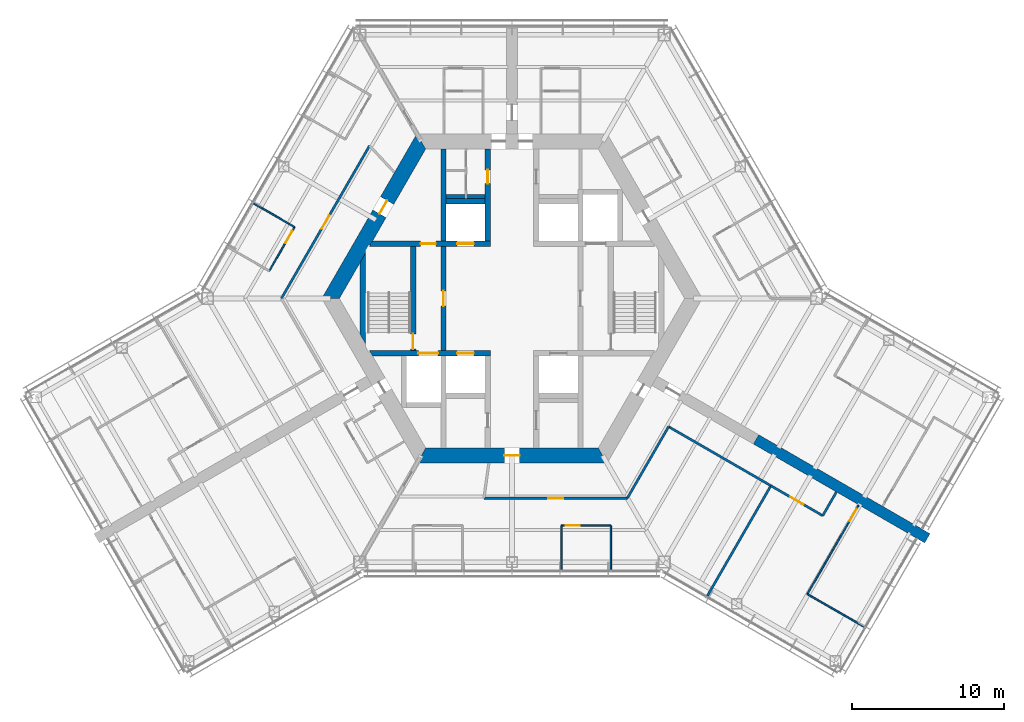
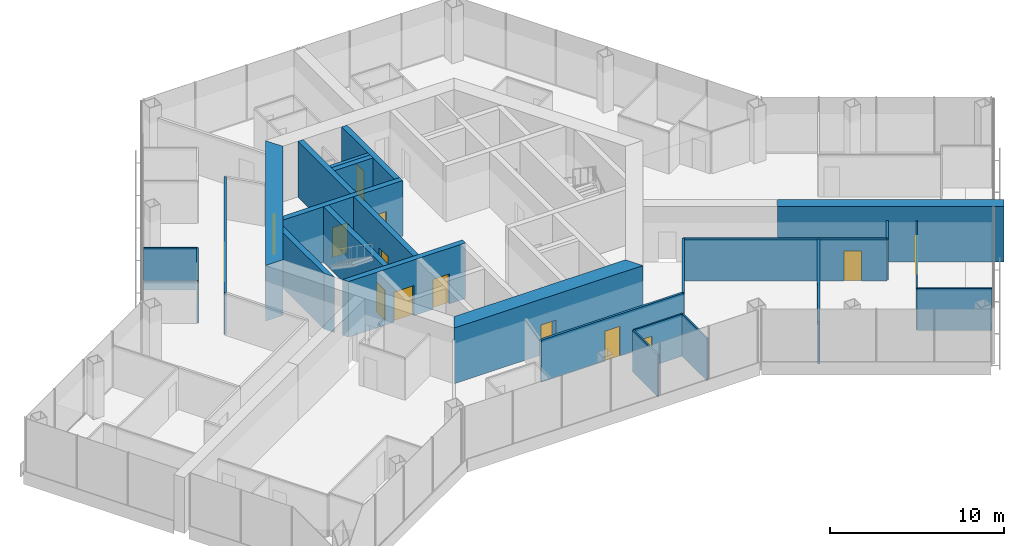
# One storey, part 13 of 18: 26 walls, 15 doors, 15 openings.
"""IFC4 building model written with IfcOpenShell, lengths in metres."""

from ifc_helpers import new_model, si_unit, direction, frame, frame_2d, origin, place, context, subcontext, project, spatial, polyline, rectangle, outline, extrude, material, layer, layer_set, type_object, element, fill, save


model = new_model("IFC4")

# Units and contexts
model_context = context("Model", 3, precision=1e-05, world=origin(), true_north=direction((0.0, 1.0)))
body_context = subcontext(model_context, "Body", "Model", "MODEL_VIEW")
ifc_project = project(units=[si_unit("LENGTHUNIT", "METRE"), si_unit("AREAUNIT", "SQUARE_METRE"), si_unit("VOLUMEUNIT", "CUBIC_METRE"), si_unit("PLANEANGLEUNIT", "RADIAN"), si_unit("MASSUNIT", "GRAM", prefix="KILO")], contexts=[model_context])

# Site, building, storey
site_placement = place(None, origin())
site = spatial("IfcSite", under=ifc_project, at=site_placement, CompositionType="ELEMENT")
building_placement = place(site_placement, origin())
building = spatial("IfcBuilding", under=site, at=building_placement, Name="Kasaneha Research Tower", CompositionType="ELEMENT")
storey_placement = place(building_placement, frame((0.0, 0.0, 179.89990234375)))
storey = spatial("IfcBuildingStorey", under=building, at=storey_placement, Name="L45", CompositionType="ELEMENT", Elevation=179.89990234375)

# Wall, openings, doors
ifc_material_1 = material(Name="Concrete Fc70", Category="concrete")
ifc_layer_1 = layer(ifc_material_1, 0.35009765625)
ifc_layer_set_1 = layer_set([ifc_layer_1], Name="Core internal wall 350 Fc70")
wall_type_1 = type_object("IfcWallType", Name="Core internal wall 350 Fc70", PredefinedType="SHEAR", material=ifc_layer_set_1)
wall_1_placement = place(storey_placement, frame((-9.266357421875, 3.60009765625, 0.0), z_axis=(0.0, 0.0, 1.0), x_axis=(1.0, 0.0, 0.0)))
wall_1 = element("IfcWall", 1, at=wall_1_placement, inside=storey, type_object=wall_type_1, Name="Core wall W1W L45", PredefinedType="SHEAR", context=body_context, shape_type="SweptSolid", body=[
    extrude(outline(polyline([(-0.10107421875, -0.175048828125), (3.266357421875, -0.175048828125), (4.266357421875, -0.175048828125), (5.66650390625, -0.175048828125), (6.7666015625, -0.175048828125), (7.84130859375, -0.175048828125), (7.84130859375, 0.175048828125), (6.7666015625, 0.175048828125), (5.66650390625, 0.175048828125), (4.266357421875, 0.175048828125), (3.266357421875, 0.175048828125), (0.10107421875, 0.175048828125), (-0.10107421875, -0.175048828125)])), origin(), (0.0, 0.0, 1.0), 3.900146484375),
])
opening_1_placement = place(wall_1_placement, frame((3.266357421875, 0.0, 0.0)))
opening_1 = element("IfcOpeningElement", 2, at=opening_1_placement, cuts=wall_1, Name="Opening L45-D12", PredefinedType="OPENING", context=body_context, shape_type="SweptSolid", body=[
    extrude(rectangle(XDim=1.0, YDim=2.10009765625, at=frame_2d((0.5, 1.050048828125))), frame((0.0, 0.18505859375, 0.0), z_axis=(0.0, -1.0, 0.0), x_axis=(1.0, 0.0, 0.0)), (0.0, 0.0, 1.0), 0.3701171875),
])
opening_2_placement = place(wall_1_placement, frame((5.66650390625, 0.0, 0.0)))
opening_2 = element("IfcOpeningElement", 3, at=opening_2_placement, cuts=wall_1, Name="Opening LD-LM1-L45", PredefinedType="OPENING", context=body_context, shape_type="SweptSolid", body=[
    extrude(rectangle(XDim=1.10009765625, YDim=2.10009765625, at=frame_2d((0.550048828125, 1.050048828125))), frame((0.0, 0.18505859375, 0.0), z_axis=(0.0, -1.0, 0.0), x_axis=(1.0, 0.0, 0.0)), (0.0, 0.0, 1.0), 0.3701171875),
])
ifc_material_2 = material(Name="Steel", Category="steel")
door_type_1 = type_object("IfcDoorType", Name="Lift landing door 1100x2100", OperationType="DOUBLE_DOOR_SLIDING", PredefinedType="DOOR", material=ifc_material_2)
door_1_placement = place(opening_2_placement, origin())
door_1 = element("IfcDoor", 4, at=door_1_placement, inside=storey, type_object=door_type_1, Name="Landing door LM1 LD-LM1-L45", OperationType="DOUBLE_DOOR_SLIDING", OverallHeight=2.10009765625, OverallWidth=1.10009765625, PredefinedType="DOOR", context=body_context, shape_type="SweptSolid", body=[
    extrude(rectangle(XDim=1.10009765625, YDim=2.10009765625, at=frame_2d((0.550048828125, 1.050048828125))), frame((0.0, 0.02490234375, 0.0), z_axis=(0.0, -1.0, 0.0), x_axis=(1.0, 0.0, 0.0)), (0.0, 0.0, 1.0), 0.050048828125),
])
fill(opening_2, door_1)
ifc_material_3 = material(Name="Steel", Category="steel")
door_type_2 = type_object("IfcDoorType", Name="Specified fire door FD60 1000x2100", OperationType="NOTDEFINED", PredefinedType="DOOR", material=ifc_material_3)
door_2_placement = place(opening_1_placement, origin())
door_2 = element("IfcDoor", 5, at=door_2_placement, inside=storey, type_object=door_type_2, Name="Vestibule to lobby door L45-D12", OperationType="SINGLE_SWING_LEFT", OverallHeight=2.10009765625, OverallWidth=1.0, PredefinedType="DOOR", context=body_context, shape_type="SweptSolid", body=[
    extrude(rectangle(XDim=1.0, YDim=2.10009765625, at=frame_2d((0.5, 1.050048828125))), frame((0.0, 0.02490234375, 0.0), z_axis=(0.0, -1.0, 0.0), x_axis=(1.0, 0.0, 0.0)), (0.0, 0.0, 1.0), 0.050048828125),
])
fill(opening_1, door_2)

wall_2_placement = place(storey_placement, frame((-9.266357421875, -3.60009765625, 0.0), z_axis=(0.0, 0.0, 1.0), x_axis=(1.0, 0.0, 0.0)))
wall_2 = element("IfcWall", 6, at=wall_2_placement, inside=storey, type_object=wall_type_1, Name="Core wall W2W L45", PredefinedType="SHEAR", context=body_context, shape_type="SweptSolid", body=[
    extrude(outline(polyline([(0.10107421875, -0.175048828125), (3.116455078125, -0.175048828125), (4.41650390625, -0.175048828125), (5.66650390625, -0.175048828125), (6.7666015625, -0.175048828125), (7.84130859375, -0.175048828125), (7.84130859375, 0.175048828125), (6.7666015625, 0.175048828125), (5.66650390625, 0.175048828125), (4.41650390625, 0.175048828125), (3.116455078125, 0.175048828125), (-0.10107421875, 0.175048828125), (0.10107421875, -0.175048828125)])), origin(), (0.0, 0.0, 1.0), 3.900146484375),
])
opening_3_placement = place(wall_2_placement, frame((5.66650390625, 0.0, 0.0)))
opening_3 = element("IfcOpeningElement", 7, at=opening_3_placement, cuts=wall_2, Name="Opening LD-LM3-L45", PredefinedType="OPENING", context=body_context, shape_type="SweptSolid", body=[
    extrude(rectangle(XDim=1.10009765625, YDim=2.10009765625, at=frame_2d((0.550048828125, 1.050048828125))), frame((0.0, 0.18505859375, 0.0), z_axis=(0.0, -1.0, 0.0), x_axis=(1.0, 0.0, 0.0)), (0.0, 0.0, 1.0), 0.3701171875),
])
opening_4_placement = place(wall_2_placement, frame((3.116455078125, 0.0, 0.0)))
opening_4 = element("IfcOpeningElement", 8, at=opening_4_placement, cuts=wall_2, Name="Opening LD-FL2-L45", PredefinedType="OPENING", context=body_context, shape_type="SweptSolid", body=[
    extrude(rectangle(XDim=1.300048828125, YDim=2.10009765625, at=frame_2d((0.64990234375, 1.050048828125))), frame((0.0, 0.18505859375, 0.0), z_axis=(0.0, -1.0, 0.0), x_axis=(1.0, 0.0, 0.0)), (0.0, 0.0, 1.0), 0.3701171875),
])
door_3_placement = place(opening_3_placement, origin())
door_3 = element("IfcDoor", 9, at=door_3_placement, inside=storey, type_object=door_type_1, Name="Landing door LM3 LD-LM3-L45", OperationType="DOUBLE_DOOR_SLIDING", OverallHeight=2.10009765625, OverallWidth=1.10009765625, PredefinedType="DOOR", context=body_context, shape_type="SweptSolid", body=[
    extrude(rectangle(XDim=1.10009765625, YDim=2.10009765625, at=frame_2d((0.550048828125, 1.050048828125))), frame((0.0, 0.02490234375, 0.0), z_axis=(0.0, -1.0, 0.0), x_axis=(1.0, 0.0, 0.0)), (0.0, 0.0, 1.0), 0.050048828125),
])
fill(opening_3, door_3)
ifc_material_4 = material(Name="Steel", Category="steel")
door_type_3 = type_object("IfcDoorType", Name="Lift landing door 1300x2100", OperationType="DOUBLE_DOOR_SLIDING", PredefinedType="DOOR", material=ifc_material_4)
door_4_placement = place(opening_4_placement, origin())
door_4 = element("IfcDoor", 10, at=door_4_placement, inside=storey, type_object=door_type_3, Name="Landing door FL2 LD-FL2-L45", OperationType="DOUBLE_DOOR_SLIDING", OverallHeight=2.10009765625, OverallWidth=1.300048828125, PredefinedType="DOOR", context=body_context, shape_type="SweptSolid", body=[
    extrude(rectangle(XDim=1.300048828125, YDim=2.10009765625, at=frame_2d((0.64990234375, 1.050048828125))), frame((0.0, 0.02490234375, 0.0), z_axis=(0.0, -1.0, 0.0), x_axis=(1.0, 0.0, 0.0)), (0.0, 0.0, 1.0), 0.050048828125),
])
fill(opening_4, door_4)

# Wall, opening, door
wall_3_placement = place(storey_placement, frame((-1.60009765625, 3.77490234375, 0.0), z_axis=(0.0, 0.0, 1.0), x_axis=(0.0, 1.0, 0.0)))
wall_3 = element("IfcWall", 11, at=wall_3_placement, inside=storey, type_object=wall_type_1, Name="Core wall CNW L45", PredefinedType="SHEAR", context=body_context, shape_type="SweptSolid", body=[
    extrude(rectangle(XDim=6.050048828125, YDim=0.35009765625, at=frame_2d((3.02490234375, 0.0))), origin(), (0.0, 0.0, 1.0), 3.900146484375),
])
opening_5_placement = place(wall_3_placement, frame((3.77490234375, 0.0, 0.0)))
opening_5 = element("IfcOpeningElement", 12, at=opening_5_placement, cuts=wall_3, Name="Opening L45-D13", PredefinedType="OPENING", context=body_context, shape_type="SweptSolid", body=[
    extrude(rectangle(XDim=0.89990234375, YDim=2.10009765625, at=frame_2d((0.449951171875, 1.050048828125))), frame((0.0, 0.18505859375, 0.0), z_axis=(0.0, -1.0, 0.0), x_axis=(1.0, 0.0, 0.0)), (0.0, 0.0, 1.0), 0.3701171875),
])
ifc_material_5 = material(Name="Steel", Category="steel")
door_type_4 = type_object("IfcDoorType", Name="Toilet door FD20 900x2100", OperationType="NOTDEFINED", PredefinedType="DOOR", material=ifc_material_5)
door_5_placement = place(opening_5_placement, origin())
door_5 = element("IfcDoor", 13, at=door_5_placement, inside=storey, type_object=door_type_4, Name="Men's WC door L45-D13", OperationType="SINGLE_SWING_LEFT", OverallHeight=2.10009765625, OverallWidth=0.89990234375, PredefinedType="DOOR", context=body_context, shape_type="SweptSolid", body=[
    extrude(rectangle(XDim=0.89990234375, YDim=2.10009765625, at=frame_2d((0.449951171875, 1.050048828125))), frame((0.0, 0.02490234375, 0.0), z_axis=(0.0, -1.0, 0.0), x_axis=(1.0, 0.0, 0.0)), (0.0, 0.0, 1.0), 0.050048828125),
])
fill(opening_5, door_5)

wall_4_placement = place(storey_placement, frame((-4.5, -3.425048828125, 0.0), z_axis=(0.0, 0.0, 1.0), x_axis=(0.0, 1.0, 0.0)))
wall_4 = element("IfcWall", 14, at=wall_4_placement, inside=storey, type_object=wall_type_1, Name="Core wall LBW L45", PredefinedType="SHEAR", context=body_context, shape_type="SweptSolid", body=[
    extrude(rectangle(XDim=6.85009765625, YDim=0.35009765625, at=frame_2d((3.425048828125, 0.0))), origin(), (0.0, 0.0, 1.0), 3.900146484375),
])
opening_6_placement = place(wall_4_placement, frame((2.925048828125, 0.0, 0.0)))
opening_6 = element("IfcOpeningElement", 15, at=opening_6_placement, cuts=wall_4, Name="Opening L45-D09", PredefinedType="OPENING", context=body_context, shape_type="SweptSolid", body=[
    extrude(rectangle(XDim=1.0, YDim=2.10009765625, at=frame_2d((0.5, 1.050048828125))), frame((0.0, 0.18505859375, 0.0), z_axis=(0.0, -1.0, 0.0), x_axis=(1.0, 0.0, 0.0)), (0.0, 0.0, 1.0), 0.3701171875),
])
door_6_placement = place(opening_6_placement, origin())
door_6 = element("IfcDoor", 16, at=door_6_placement, inside=storey, type_object=door_type_2, Name="Lift lobby door west L45-D09", OperationType="SINGLE_SWING_LEFT", OverallHeight=2.10009765625, OverallWidth=1.0, PredefinedType="DOOR", context=body_context, shape_type="SweptSolid", body=[
    extrude(rectangle(XDim=1.0, YDim=2.10009765625, at=frame_2d((0.5, 1.050048828125))), frame((0.0, 0.02490234375, 0.0), z_axis=(0.0, -1.0, 0.0), x_axis=(1.0, 0.0, 0.0)), (0.0, 0.0, 1.0), 0.050048828125),
])
fill(opening_6, door_6)

wall_5_placement = place(storey_placement, frame((-6.5, -3.425048828125, 0.0), z_axis=(0.0, 0.0, 1.0), x_axis=(0.0, 1.0, 0.0)))
wall_5 = element("IfcWall", 17, at=wall_5_placement, inside=storey, type_object=wall_type_1, Name="Core wall ANW L45", PredefinedType="SHEAR", context=body_context, shape_type="SweptSolid", body=[
    extrude(rectangle(XDim=6.85009765625, YDim=0.35009765625, at=frame_2d((3.425048828125, 0.0))), origin(), (0.0, 0.0, 1.0), 3.900146484375),
])
opening_7_placement = place(wall_5_placement, frame((0.10009765625, 0.0, 0.0)))
opening_7 = element("IfcOpeningElement", 18, at=opening_7_placement, cuts=wall_5, Name="Opening L45-D11", PredefinedType="OPENING", context=body_context, shape_type="SweptSolid", body=[
    extrude(rectangle(XDim=1.0, YDim=2.10009765625, at=frame_2d((0.5, 1.050048828125))), frame((0.0, 0.18505859375, 0.0), z_axis=(0.0, -1.0, 0.0), x_axis=(1.0, 0.0, 0.0)), (0.0, 0.0, 1.0), 0.3701171875),
])
door_7_placement = place(opening_7_placement, origin())
door_7 = element("IfcDoor", 19, at=door_7_placement, inside=storey, type_object=door_type_2, Name="Stair 2 door L45-D11", OperationType="SINGLE_SWING_LEFT", OverallHeight=2.10009765625, OverallWidth=1.0, PredefinedType="DOOR", context=body_context, shape_type="SweptSolid", body=[
    extrude(rectangle(XDim=1.0, YDim=2.10009765625, at=frame_2d((0.5, 1.050048828125))), frame((0.0, 0.02490234375, 0.0), z_axis=(0.0, -1.0, 0.0), x_axis=(1.0, 0.0, 0.0)), (0.0, 0.0, 1.0), 0.050048828125),
])
fill(opening_7, door_7)

# Walls
wall_6_placement = place(storey_placement, frame((-4.5, 3.77490234375, 0.0), z_axis=(0.0, 0.0, 1.0), x_axis=(0.0, 1.0, 0.0)))
element("IfcWall", 20, at=wall_6_placement, inside=storey, type_object=wall_type_1, Name="Core wall VNW L45", PredefinedType="SHEAR", context=body_context, shape_type="SweptSolid", body=[
    extrude(rectangle(XDim=6.050048828125, YDim=0.35009765625, at=frame_2d((3.02490234375, 0.0))), origin(), (0.0, 0.0, 1.0), 3.900146484375),
])
wall_7_placement = place(storey_placement, frame((-4.324951171875, 6.39990234375, 0.0), z_axis=(0.0, 0.0, 1.0), x_axis=(1.0, 0.0, 0.0)))
element("IfcWall", 21, at=wall_7_placement, inside=storey, type_object=wall_type_1, Name="Core wall N1N L45", PredefinedType="SHEAR", context=body_context, shape_type="SweptSolid", body=[
    extrude(rectangle(XDim=2.550048828125, YDim=0.35009765625, at=frame_2d((1.27490234375, 0.0))), origin(), (0.0, 0.0, 1.0), 3.900146484375),
])
wall_8_placement = place(storey_placement, frame((-9.807861328125, -2.662353515625, 0.0), z_axis=(0.0, 0.0, 1.0), x_axis=(0.0, 1.0, 0.0)))
element("IfcWall", 22, at=wall_8_placement, inside=storey, type_object=wall_type_1, Name="Core wall STW L45", PredefinedType="SHEAR", context=body_context, shape_type="SweptSolid", body=[
    extrude(outline(polyline([(-0.30322265625, -0.175048828125), (5.6279296875, -0.175048828125), (5.021484375, 0.175048828125), (0.30322265625, 0.175048828125), (-0.30322265625, -0.175048828125)])), origin(), (0.0, 0.0, 1.0), 3.900146484375),
])

# Wall, opening, door
ifc_material_6 = material(Name="Concrete Fc70", Category="concrete")
ifc_layer_2 = layer(ifc_material_6, 1.0)
ifc_layer_set_2 = layer_set([ifc_layer_2], Name="Core wall 1000 Fc70")
wall_type_2 = type_object("IfcWallType", Name="Core wall 1000 Fc70", PredefinedType="SHEAR", material=ifc_layer_set_2)
wall_9_placement = place(storey_placement, frame((-5.961181640625, 10.324951171875, 0.0), z_axis=(0.0, 0.0, 1.0), x_axis=(-0.500004296715, -0.866022923061, 0.0)))
wall_9 = element("IfcWall", 23, at=wall_9_placement, inside=storey, type_object=wall_type_2, Name="Core wall 150 L45", PredefinedType="SHEAR", context=body_context, shape_type="SweptSolid", body=[
    extrude(outline(polyline([(-0.28857421875, -0.5), (4.494140625, -0.5), (5.494140625, -0.5), (12.2109375, -0.5), (11.6337890625, 0.5), (5.494140625, 0.5), (4.494140625, 0.5), (0.28857421875, 0.5), (-0.28857421875, -0.5)])), origin(), (0.0, 0.0, 1.0), 3.900146484375),
])
opening_8_placement = place(wall_9_placement, frame((4.494140625, 0.0, 0.0)))
opening_8 = element("IfcOpeningElement", 24, at=opening_8_placement, cuts=wall_9, Name="Opening L45-D07", PredefinedType="OPENING", context=body_context, shape_type="SweptSolid", body=[
    extrude(rectangle(XDim=1.0, YDim=2.10009765625, at=frame_2d((0.5, 1.050048828125))), frame((0.0, 0.510009765625, 0.0), z_axis=(0.0, -1.0, 0.0), x_axis=(1.0, 0.0, 0.0)), (0.0, 0.0, 1.0), 1.02001953125),
])
ifc_material_7 = material(Name="Steel", Category="steel")
door_type_5 = type_object("IfcDoorType", Name="Fire door FD20 1000x2100", OperationType="NOTDEFINED", PredefinedType="DOOR", material=ifc_material_7)
door_8_placement = place(opening_8_placement, origin())
door_8 = element("IfcDoor", 25, at=door_8_placement, inside=storey, type_object=door_type_5, Name="Vestibule door L45-D07", OperationType="SINGLE_SWING_LEFT", OverallHeight=2.10009765625, OverallWidth=1.0, PredefinedType="DOOR", context=body_context, shape_type="SweptSolid", body=[
    extrude(rectangle(XDim=1.0, YDim=2.10009765625, at=frame_2d((0.5, 1.050048828125))), frame((0.0, 0.02490234375, 0.0), z_axis=(0.0, -1.0, 0.0), x_axis=(1.0, 0.0, 0.0)), (0.0, 0.0, 1.0), 0.050048828125),
])
fill(opening_8, door_8)

wall_10_placement = place(storey_placement, frame((-5.961181640625, -10.324951171875, 0.0), z_axis=(0.0, 0.0, 1.0), x_axis=(1.0, 0.0, 0.0)))
wall_10 = element("IfcWall", 26, at=wall_10_placement, inside=storey, type_object=wall_type_2, Name="Core wall 270 L45", PredefinedType="SHEAR", context=body_context, shape_type="SweptSolid", body=[
    extrude(outline(polyline([(-0.28857421875, -0.5), (5.461181640625, -0.5), (6.461181640625, -0.5), (12.2109375, -0.5), (11.6337890625, 0.5), (6.461181640625, 0.5), (5.461181640625, 0.5), (0.28857421875, 0.5), (-0.28857421875, -0.5)])), origin(), (0.0, 0.0, 1.0), 3.900146484375),
])
opening_9_placement = place(wall_10_placement, frame((5.461181640625, 0.0, 0.0)))
opening_9 = element("IfcOpeningElement", 27, at=opening_9_placement, cuts=wall_10, Name="Opening L45-D03", PredefinedType="OPENING", context=body_context, shape_type="SweptSolid", body=[
    extrude(rectangle(XDim=1.0, YDim=2.10009765625, at=frame_2d((0.5, 1.050048828125))), frame((0.0, 0.510009765625, 0.0), z_axis=(0.0, -1.0, 0.0), x_axis=(1.0, 0.0, 0.0)), (0.0, 0.0, 1.0), 1.02001953125),
])
door_9_placement = place(opening_9_placement, origin())
door_9 = element("IfcDoor", 28, at=door_9_placement, inside=storey, type_object=door_type_5, Name="Core door south L45-D03", OperationType="SINGLE_SWING_LEFT", OverallHeight=2.10009765625, OverallWidth=1.0, PredefinedType="DOOR", context=body_context, shape_type="SweptSolid", body=[
    extrude(rectangle(XDim=1.0, YDim=2.10009765625, at=frame_2d((0.5, 1.050048828125))), frame((0.0, 0.02490234375, 0.0), z_axis=(0.0, -1.0, 0.0), x_axis=(1.0, 0.0, 0.0)), (0.0, 0.0, 1.0), 0.050048828125),
])
fill(opening_9, door_9)

# Wall
ifc_material_8 = material(Name="Gypsum board on steel studs, one layer each side", Category="steel")
ifc_layer_3 = layer(ifc_material_8, 0.10009765625)
ifc_layer_set_3 = layer_set([ifc_layer_3], Name="Office partition 100")
wall_type_3 = type_object("IfcWallType", Name="Office partition 100", PredefinedType="PARTITIONING", material=ifc_layer_set_3)
wall_11_placement = place(storey_placement, frame((-16.97607421875, 6.247802734375, 0.0), z_axis=(0.0, 0.0, 1.0), x_axis=(0.866023220135, -0.500003782172, 0.0)))
element("IfcWall", 29, at=wall_11_placement, inside=storey, type_object=wall_type_3, Name="Office partition FBN15 L45", PredefinedType="PARTITIONING", context=body_context, shape_type="SweptSolid", body=[
    extrude(rectangle(XDim=3.10498046875, YDim=0.10009765625, at=frame_2d((1.552490234375, 0.0))), origin(), (0.0, 0.0, 1.0), 2.9501953125),
])

# Wall, opening, door
wall_12_placement = place(storey_placement, frame((-14.287109375, 4.6953125, 0.0), z_axis=(0.0, 0.0, 1.0), x_axis=(-0.499946633866, -0.866056212544, 0.0)))
wall_12 = element("IfcWall", 30, at=wall_12_placement, inside=storey, type_object=wall_type_3, Name="Office partition FBN17 L45", PredefinedType="PARTITIONING", context=body_context, shape_type="SweptSolid", body=[
    extrude(rectangle(XDim=3.330810546875, YDim=0.10009765625, at=frame_2d((1.66552734375, 0.0))), origin(), (0.0, 0.0, 1.0), 2.9501953125),
])
opening_10_placement = place(wall_12_placement, frame((0.300048828125, 0.0, 0.0)))
opening_10 = element("IfcOpeningElement", 31, at=opening_10_placement, cuts=wall_12, Name="Opening L45-D36", PredefinedType="OPENING", context=body_context, shape_type="SweptSolid", body=[
    extrude(rectangle(XDim=0.89990234375, YDim=2.10009765625, at=frame_2d((0.449951171875, 1.050048828125))), frame((0.0, 0.06005859375, 0.0), z_axis=(0.0, -1.0, 0.0), x_axis=(1.0, 0.0, 0.0)), (0.0, 0.0, 1.0), 0.1201171875),
])
ifc_material_9 = material(Name="Timber veneer", Category="wood")
door_type_6 = type_object("IfcDoorType", Name="Office door 900x2100", OperationType="SINGLE_SWING_LEFT", PredefinedType="DOOR", material=ifc_material_9)
door_10_placement = place(opening_10_placement, origin())
door_10 = element("IfcDoor", 32, at=door_10_placement, inside=storey, type_object=door_type_6, Name="Project room door L45-D36", OperationType="SINGLE_SWING_LEFT", OverallHeight=2.10009765625, OverallWidth=0.89990234375, PredefinedType="DOOR", context=body_context, shape_type="SweptSolid", body=[
    extrude(rectangle(XDim=0.89990234375, YDim=2.10009765625, at=frame_2d((0.449951171875, 1.050048828125))), frame((0.0, 0.02490234375, 0.0), z_axis=(0.0, -1.0, 0.0), x_axis=(1.0, 0.0, 0.0)), (0.0, 0.0, 1.0), 0.050048828125),
])
fill(opening_10, door_10)

# Wall
wall_13_placement = place(storey_placement, frame((3.246337890625, -17.800537109375, 0.0), z_axis=(0.0, 0.0, 1.0), x_axis=(0.0, 1.0, 0.0)))
element("IfcWall", 33, at=wall_13_placement, inside=storey, type_object=wall_type_3, Name="Office partition FCS07 L45", PredefinedType="PARTITIONING", context=body_context, shape_type="SweptSolid", body=[
    extrude(rectangle(XDim=2.880126953125, YDim=0.10009765625, at=frame_2d((1.43994140625, 0.0))), origin(), (0.0, 0.0, 1.0), 2.9501953125),
])

# Wall, opening, door
wall_14_placement = place(storey_placement, frame((3.246337890625, -14.92041015625, 0.0), z_axis=(0.0, 0.0, 1.0), x_axis=(1.0, 0.0, 0.0)))
wall_14 = element("IfcWall", 34, at=wall_14_placement, inside=storey, type_object=wall_type_3, Name="Office partition FCS08 L45", PredefinedType="PARTITIONING", context=body_context, shape_type="SweptSolid", body=[
    extrude(rectangle(XDim=3.24658203125, YDim=0.10009765625, at=frame_2d((1.623291015625, 0.0))), origin(), (0.0, 0.0, 1.0), 2.9501953125),
])
opening_11_placement = place(wall_14_placement, frame((0.300048828125, 0.0, 0.0)))
opening_11 = element("IfcOpeningElement", 35, at=opening_11_placement, cuts=wall_14, Name="Opening L45-D45", PredefinedType="OPENING", context=body_context, shape_type="SweptSolid", body=[
    extrude(rectangle(XDim=0.89990234375, YDim=2.10009765625, at=frame_2d((0.449951171875, 1.050048828125))), frame((0.0, 0.06005859375, 0.0), z_axis=(0.0, -1.0, 0.0), x_axis=(1.0, 0.0, 0.0)), (0.0, 0.0, 1.0), 0.1201171875),
])
door_11_placement = place(opening_11_placement, origin())
door_11 = element("IfcDoor", 36, at=door_11_placement, inside=storey, type_object=door_type_6, Name="Manager's office door L45-D45", OperationType="SINGLE_SWING_LEFT", OverallHeight=2.10009765625, OverallWidth=0.89990234375, PredefinedType="DOOR", context=body_context, shape_type="SweptSolid", body=[
    extrude(rectangle(XDim=0.89990234375, YDim=2.10009765625, at=frame_2d((0.449951171875, 1.050048828125))), frame((0.0, 0.02490234375, 0.0), z_axis=(0.0, -1.0, 0.0), x_axis=(1.0, 0.0, 0.0)), (0.0, 0.0, 1.0), 0.050048828125),
])
fill(opening_11, door_11)

# Wall
wall_15_placement = place(storey_placement, frame((6.492919921875, -14.92041015625, 0.0), z_axis=(0.0, 0.0, 1.0), x_axis=(0.0, -1.0, 0.0)))
element("IfcWall", 37, at=wall_15_placement, inside=storey, type_object=wall_type_3, Name="Office partition FCS09 L45", PredefinedType="PARTITIONING", context=body_context, shape_type="SweptSolid", body=[
    extrude(rectangle(XDim=2.880126953125, YDim=0.10009765625, at=frame_2d((1.43994140625, 0.0))), origin(), (0.0, 0.0, 1.0), 2.9501953125),
])

# Wall, opening, door
wall_16_placement = place(storey_placement, frame((19.4091796875, -19.423583984375, 0.0), z_axis=(0.0, 0.0, 1.0), x_axis=(0.499996020086, 0.866027701577, 0.0)))
wall_16 = element("IfcWall", 38, at=wall_16_placement, inside=storey, type_object=wall_type_3, Name="Office partition FCS13 L45", PredefinedType="PARTITIONING", context=body_context, shape_type="SweptSolid", body=[
    extrude(rectangle(XDim=6.74658203125, YDim=0.10009765625, at=frame_2d((3.373291015625, 0.0))), origin(), (0.0, 0.0, 1.0), 2.9501953125),
])
opening_12_placement = place(wall_16_placement, frame((5.546630859375, 0.0, 0.0)))
opening_12 = element("IfcOpeningElement", 39, at=opening_12_placement, cuts=wall_16, Name="Opening L45-D47", PredefinedType="OPENING", context=body_context, shape_type="SweptSolid", body=[
    extrude(rectangle(XDim=0.89990234375, YDim=2.10009765625, at=frame_2d((0.449951171875, 1.050048828125))), frame((0.0, 0.06005859375, 0.0), z_axis=(0.0, -1.0, 0.0), x_axis=(1.0, 0.0, 0.0)), (0.0, 0.0, 1.0), 0.1201171875),
])
door_12_placement = place(opening_12_placement, origin())
door_12 = element("IfcDoor", 40, at=door_12_placement, inside=storey, type_object=door_type_6, Name="Meeting room door L45-D47", OperationType="SINGLE_SWING_RIGHT", OverallHeight=2.10009765625, OverallWidth=0.89990234375, PredefinedType="DOOR", context=body_context, shape_type="SweptSolid", body=[
    extrude(rectangle(XDim=0.89990234375, YDim=2.10009765625, at=frame_2d((0.449951171875, 1.050048828125))), frame((0.0, 0.02490234375, 0.0), z_axis=(0.0, -1.0, 0.0), x_axis=(1.0, 0.0, 0.0)), (0.0, 0.0, 1.0), 0.050048828125),
])
fill(opening_12, door_12)

# Walls
wall_17_placement = place(storey_placement, frame((23.137451171875, -21.575927734375, 0.0), z_axis=(0.0, 0.0, 1.0), x_axis=(-0.866042984989, 0.499969547224, 0.0)))
element("IfcWall", 41, at=wall_17_placement, inside=storey, type_object=wall_type_3, Name="Office partition FCS14 L45", PredefinedType="PARTITIONING", context=body_context, shape_type="SweptSolid", body=[
    extrude(rectangle(XDim=4.304931640625, YDim=0.10009765625, at=frame_2d((2.15234375, 0.0))), origin(), (0.0, 0.0, 1.0), 2.9501953125),
])
ifc_material_10 = material(Name="Concrete Fc70", Category="concrete")
ifc_layer_4 = layer(ifc_material_10, 0.699951171875)
ifc_layer_set_4 = layer_set([ifc_layer_4], Name="Spine wall 700 Fc70")
wall_type_4 = type_object("IfcWallType", Name="Spine wall 700 Fc70", PredefinedType="SHEAR", material=ifc_layer_set_4)
wall_18_placement = place(storey_placement, frame((16.039306640625, -9.26025390625, 0.0), z_axis=(0.0, 0.0, 1.0), x_axis=(0.866024837091, -0.50000098154, 0.0)))
element("IfcWall", 42, at=wall_18_placement, inside=storey, type_object=wall_type_4, Name="Spine wall C wing L45", PredefinedType="SHEAR", context=body_context, shape_type="SweptSolid", body=[
    extrude(rectangle(XDim=13.0, YDim=0.699951171875, at=frame_2d((6.5, 0.0))), origin(), (0.0, 0.0, 1.0), 3.900146484375),
])

# Wall, opening, door
ifc_material_11 = material(Name="Gypsum board on steel studs, two layers each side", Category="steel")
ifc_layer_5 = layer(ifc_material_11, 0.14990234375)
ifc_layer_set_5 = layer_set([ifc_layer_5], Name="Suite partition 150")
wall_type_5 = type_object("IfcWallType", Name="Suite partition 150", PredefinedType="PARTITIONING", material=ifc_layer_set_5)
wall_19_placement = place(storey_placement, frame((-15.155517578125, 0.0, 0.0), z_axis=(0.0, 0.0, 1.0), x_axis=(0.500012970505, 0.86601791513, 0.0)))
wall_19 = element("IfcWall", 43, at=wall_19_placement, inside=storey, type_object=wall_type_5, Name="Suite partition FBN02 L45", PredefinedType="PARTITIONING", context=body_context, shape_type="SweptSolid", body=[
    extrude(rectangle(XDim=11.590576171875, YDim=0.14990234375, at=frame_2d((5.79541015625, 0.0))), origin(), (0.0, 0.0, 1.0), 2.9501953125),
])
opening_13_placement = place(wall_19_placement, frame((5.295166015625, 0.0, 0.0)))
opening_13 = element("IfcOpeningElement", 44, at=opening_13_placement, cuts=wall_19, Name="Opening L45-D31", PredefinedType="OPENING", context=body_context, shape_type="SweptSolid", body=[
    extrude(rectangle(XDim=1.0, YDim=2.10009765625, at=frame_2d((0.5, 1.050048828125))), frame((0.0, 0.0849609375, 0.0), z_axis=(0.0, -1.0, 0.0), x_axis=(1.0, 0.0, 0.0)), (0.0, 0.0, 1.0), 0.169921875),
])
ifc_material_12 = material(Name="Steel", Category="steel")
door_type_7 = type_object("IfcDoorType", Name="Suite entrance door FD60 1000x2100", OperationType="NOTDEFINED", PredefinedType="DOOR", material=ifc_material_12)
door_13_placement = place(opening_13_placement, origin())
door_13 = element("IfcDoor", 45, at=door_13_placement, inside=storey, type_object=door_type_7, Name="Suite entrance door L45-D31", OperationType="SINGLE_SWING_RIGHT", OverallHeight=2.10009765625, OverallWidth=1.0, PredefinedType="DOOR", context=body_context, shape_type="SweptSolid", body=[
    extrude(rectangle(XDim=1.0, YDim=2.10009765625, at=frame_2d((0.5, 1.050048828125))), frame((0.0, 0.02490234375, 0.0), z_axis=(0.0, -1.0, 0.0), x_axis=(1.0, 0.0, 0.0)), (0.0, 0.0, 1.0), 0.050048828125),
])
fill(opening_13, door_13)

wall_20_placement = place(storey_placement, frame((7.57763671875, -13.125, 0.0), z_axis=(0.0, 0.0, 1.0), x_axis=(-1.0, 0.0, 0.0)))
wall_20 = element("IfcWall", 46, at=wall_20_placement, inside=storey, type_object=wall_type_5, Name="Suite partition FCS02 L45", PredefinedType="PARTITIONING", context=body_context, shape_type="SweptSolid", body=[
    extrude(rectangle(XDim=9.422119140625, YDim=0.14990234375, at=frame_2d((4.7109375, 0.0))), origin(), (0.0, 0.0, 1.0), 2.9501953125),
])
opening_14_placement = place(wall_20_placement, frame((4.211181640625, 0.0, 0.0)))
opening_14 = element("IfcOpeningElement", 47, at=opening_14_placement, cuts=wall_20, Name="Opening L45-D43", PredefinedType="OPENING", context=body_context, shape_type="SweptSolid", body=[
    extrude(rectangle(XDim=1.0, YDim=2.10009765625, at=frame_2d((0.5, 1.050048828125))), frame((0.0, 0.0849609375, 0.0), z_axis=(0.0, -1.0, 0.0), x_axis=(1.0, 0.0, 0.0)), (0.0, 0.0, 1.0), 0.169921875),
])
door_14_placement = place(opening_14_placement, origin())
door_14 = element("IfcDoor", 48, at=door_14_placement, inside=storey, type_object=door_type_7, Name="Suite entrance door L45-D43", OperationType="SINGLE_SWING_LEFT", OverallHeight=2.10009765625, OverallWidth=1.0, PredefinedType="DOOR", context=body_context, shape_type="SweptSolid", body=[
    extrude(rectangle(XDim=1.0, YDim=2.10009765625, at=frame_2d((0.5, 1.050048828125))), frame((0.0, 0.02490234375, 0.0), z_axis=(0.0, -1.0, 0.0), x_axis=(1.0, 0.0, 0.0)), (0.0, 0.0, 1.0), 0.050048828125),
])
fill(opening_14, door_14)

# Walls
wall_21_placement = place(storey_placement, frame((10.29150390625, -8.424560546875, 0.0), z_axis=(0.0, 0.0, 1.0), x_axis=(-0.500009286329, -0.866020042254, 0.0)))
element("IfcWall", 49, at=wall_21_placement, inside=storey, type_object=wall_type_5, Name="Suite partition FCS03 L45", PredefinedType="PARTITIONING", context=body_context, shape_type="SweptSolid", body=[
    extrude(rectangle(XDim=5.427734375, YDim=0.14990234375, at=frame_2d((2.7138671875, 0.0))), origin(), (0.0, 0.0, 1.0), 2.9501953125),
])
wall_22_placement = place(storey_placement, frame((17.021484375, -12.31005859375, 0.0), z_axis=(0.0, 0.0, 1.0), x_axis=(-0.866028634939, 0.499994403434, 0.0)))
element("IfcWall", 50, at=wall_22_placement, inside=storey, type_object=wall_type_5, Name="Suite partition FCS04 L45", PredefinedType="PARTITIONING", context=body_context, shape_type="SweptSolid", body=[
    extrude(rectangle(XDim=7.77099609375, YDim=0.14990234375, at=frame_2d((3.885498046875, 0.0))), origin(), (0.0, 0.0, 1.0), 2.9501953125),
])

# Wall, opening, door
wall_23_placement = place(storey_placement, frame((20.420166015625, -14.272216796875, 0.0), z_axis=(0.0, 0.0, 1.0), x_axis=(-0.866011978186, 0.500023253097, 0.0)))
wall_23 = element("IfcWall", 51, at=wall_23_placement, inside=storey, type_object=wall_type_5, Name="Suite partition FCS05 L45", PredefinedType="PARTITIONING", context=body_context, shape_type="SweptSolid", body=[
    extrude(rectangle(XDim=3.934326171875, YDim=0.14990234375, at=frame_2d((1.96728515625, 0.0))), origin(), (0.0, 0.0, 1.0), 2.9501953125),
])
opening_15_placement = place(wall_23_placement, frame((1.46728515625, 0.0, 0.0)))
opening_15 = element("IfcOpeningElement", 52, at=opening_15_placement, cuts=wall_23, Name="Opening L45-D44", PredefinedType="OPENING", context=body_context, shape_type="SweptSolid", body=[
    extrude(rectangle(XDim=1.0, YDim=2.10009765625, at=frame_2d((0.5, 1.050048828125))), frame((0.0, 0.0849609375, 0.0), z_axis=(0.0, -1.0, 0.0), x_axis=(1.0, 0.0, 0.0)), (0.0, 0.0, 1.0), 0.169921875),
])
door_15_placement = place(opening_15_placement, origin())
door_15 = element("IfcDoor", 53, at=door_15_placement, inside=storey, type_object=door_type_7, Name="Suite entrance door L45-D44", OperationType="SINGLE_SWING_RIGHT", OverallHeight=2.10009765625, OverallWidth=1.0, PredefinedType="DOOR", context=body_context, shape_type="SweptSolid", body=[
    extrude(rectangle(XDim=1.0, YDim=2.10009765625, at=frame_2d((0.5, 1.050048828125))), frame((0.0, 0.02490234375, 0.0), z_axis=(0.0, -1.0, 0.0), x_axis=(1.0, 0.0, 0.0)), (0.0, 0.0, 1.0), 0.050048828125),
])
fill(opening_15, door_15)

# Walls
wall_24_placement = place(storey_placement, frame((21.310302734375, -12.730712890625, 0.0), z_axis=(0.0, 0.0, 1.0), x_axis=(-0.500062787734, -0.865989150234, 0.0)))
element("IfcWall", 54, at=wall_24_placement, inside=storey, type_object=wall_type_5, Name="Suite partition FCS06 L45", PredefinedType="PARTITIONING", context=body_context, shape_type="SweptSolid", body=[
    extrude(rectangle(XDim=1.780029296875, YDim=0.14990234375, at=frame_2d((0.89013671875, 0.0))), origin(), (0.0, 0.0, 1.0), 2.9501953125),
])
wall_25_placement = place(storey_placement, frame((17.0126953125, -12.305419921875, 0.0), z_axis=(0.0, 0.0, 1.0), x_axis=(-0.499493070184, -0.866317882096, 0.0)))
element("IfcWall", 55, at=wall_25_placement, inside=storey, type_object=wall_type_5, Name="Suite partition FCS15 L45", PredefinedType="PARTITIONING", context=body_context, shape_type="SweptSolid", body=[
    extrude(rectangle(XDim=8.354736328125, YDim=0.14990234375, at=frame_2d((4.17724609375, 0.0))), origin(), (0.0, 0.0, 1.0), 2.9501953125),
])
ifc_material_13 = material(Name="Concrete block lining", Category="concrete")
ifc_layer_6 = layer(ifc_material_13, 0.25)
ifc_layer_set_6 = layer_set([ifc_layer_6], Name="WC plumbing wall 250")
wall_type_6 = type_object("IfcWallType", Name="WC plumbing wall 250", PredefinedType="PLUMBINGWALL", material=ifc_layer_set_6)
wall_26_placement = place(storey_placement, frame((-4.324951171875, 6.699951171875, 0.0), z_axis=(0.0, 0.0, 1.0), x_axis=(1.0, 0.0, 0.0)))
element("IfcWall", 56, at=wall_26_placement, inside=storey, type_object=wall_type_6, Name="WC plumbing wall M L45", PredefinedType="PLUMBINGWALL", context=body_context, shape_type="SweptSolid", body=[
    extrude(rectangle(XDim=2.550048828125, YDim=0.25, at=frame_2d((1.27490234375, 0.0))), origin(), (0.0, 0.0, 1.0), 3.900146484375),
])

save(model, "model.ifc")
